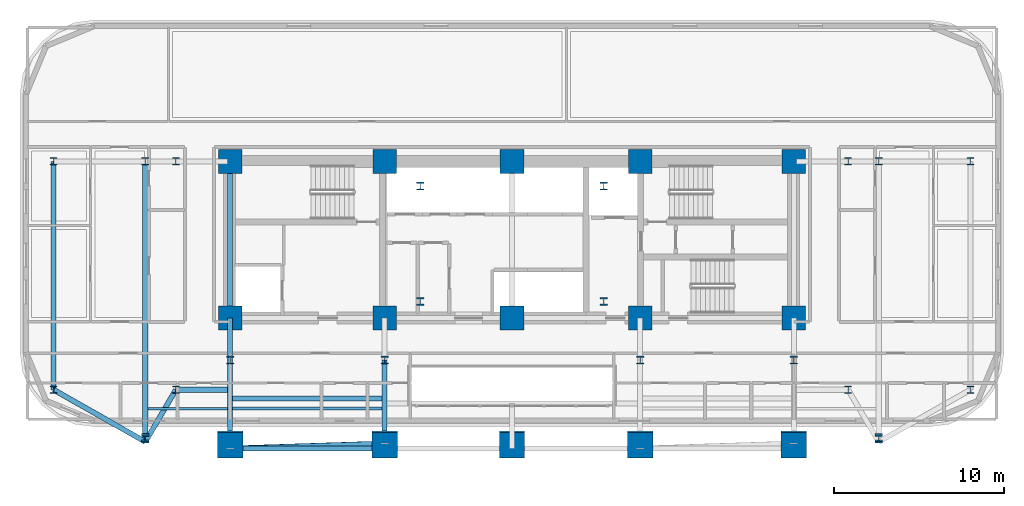
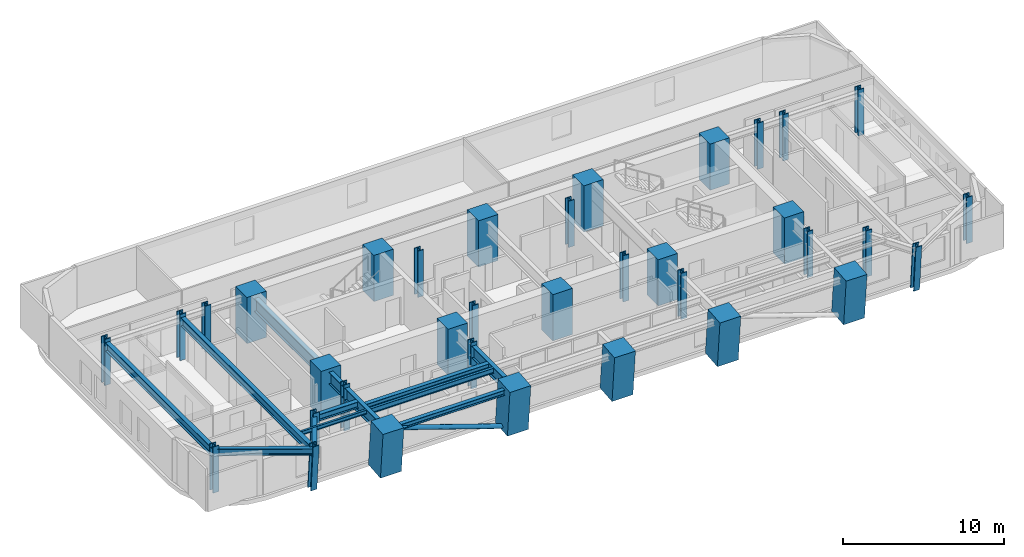
# One storey, part 1 of 16: 35 columns, 13 beams, 1 member.
"""IFC4 building model written with IfcOpenShell, lengths in metres."""

from ifc_helpers import new_model, si_unit, direction, frame, origin, origin_2d, place, context, subcontext, project, spatial, rectangle, hollow_circle, i_section, extrude, material, material_profile, profile_set, type_object, element, save


model = new_model("IFC4")

# Units and contexts
model_context = context("Model", 3, precision=1e-05, world=origin(), true_north=direction((0.0, 1.0)))
body_context = subcontext(model_context, "Body", "Model", "MODEL_VIEW")
ifc_project = project(units=[si_unit("LENGTHUNIT", "METRE"), si_unit("AREAUNIT", "SQUARE_METRE"), si_unit("VOLUMEUNIT", "CUBIC_METRE"), si_unit("PLANEANGLEUNIT", "RADIAN"), si_unit("MASSUNIT", "GRAM", prefix="KILO")], contexts=[model_context])

# Site, building, storey
site_placement = place(None, origin())
site = spatial("IfcSite", under=ifc_project, at=site_placement, CompositionType="ELEMENT")
building_placement = place(site_placement, origin())
building = spatial("IfcBuilding", under=site, at=building_placement, Name="Zarnavel Station Tower", CompositionType="ELEMENT")
storey_placement = place(building_placement, frame((0.0, 0.0, 64.0)))
storey = spatial("IfcBuildingStorey", under=building, at=storey_placement, Name="L17", CompositionType="ELEMENT", Elevation=64.0)

# Columns
ifc_material_1 = material(Name="Steel S460M", Category="steel")
ifc_material_profile_1 = material_profile(ifc_material_1, i_section(OverallWidth=0.424072265625, OverallDepth=0.449951171875, WebThickness=0.041015625, FlangeThickness=0.06494140625, FilletRadius=0.014892578125, at=origin_2d()), Name="HD400x509")
ifc_profile_set_1 = profile_set([ifc_material_profile_1], Name="Steel S460M")
column_type_1 = type_object("IfcColumnType", Name="EC_HD509", PredefinedType="COLUMN", material=ifc_profile_set_1)
for number, where, z_axis, x_axis, name in (
    (1, (1.800048828125, 23.60009765625, 0.0), (0.0, 0.0, 1.0), (1.0, 0.0, 0.0), "L17 Outer Wing South Column 1"),
    (2, (1.800048828125, 37.050048828125, 0.0), (0.0, 0.0, 1.0), (1.0, 0.0, 0.0), "L17 Outer Wing North Column 1"),
):
    element("IfcColumn", number, at=place(storey_placement, frame(where, z_axis=z_axis, x_axis=x_axis)), inside=storey, type_object=column_type_1, Name=name, PredefinedType="COLUMN", context=body_context, shape_type="SweptSolid", body=[
        extrude(i_section(OverallWidth=0.424072265625, OverallDepth=0.449951171875, WebThickness=0.041015625, FlangeThickness=0.06494140625, FilletRadius=0.014892578125, at=origin_2d()), origin(), (0.0, 0.0, 1.0), 3.5),
    ])
for number, where, z_axis, x_axis, name in (
    (3, (7.199951171875, 20.794921875, 0.0), (0.0, -0.079891690793, 0.996803550226), (1.0, 0.0, 0.0), "L17 Raked Wing Column 2"),
    (4, (50.39990234375, 20.794921875, 0.0), (0.0, -0.079891690793, 0.996803550226), (1.0, 0.0, 0.0), "L17 Raked Wing Column 3"),
):
    element("IfcColumn", number, at=place(storey_placement, frame(where, z_axis=z_axis, x_axis=x_axis)), inside=storey, type_object=column_type_1, Name=name, PredefinedType="COLUMN", context=body_context, shape_type="SweptSolid", body=[
        extrude(i_section(OverallWidth=0.424072265625, OverallDepth=0.449951171875, WebThickness=0.041015625, FlangeThickness=0.06494140625, FilletRadius=0.014892578125, at=origin_2d()), origin(), (0.0, 0.0, 1.0), 3.51123046875),
    ])
for number, where, z_axis, x_axis, name in (
    (5, (55.800048828125, 23.60009765625, 0.0), (0.0, 0.0, 1.0), (1.0, 0.0, 0.0), "L17 Outer Wing South Column 4"),
    (6, (55.800048828125, 37.050048828125, 0.0), (0.0, 0.0, 1.0), (1.0, 0.0, 0.0), "L17 Outer Wing North Column 4"),
):
    element("IfcColumn", number, at=place(storey_placement, frame(where, z_axis=z_axis, x_axis=x_axis)), inside=storey, type_object=column_type_1, Name=name, PredefinedType="COLUMN", context=body_context, shape_type="SweptSolid", body=[
        extrude(i_section(OverallWidth=0.424072265625, OverallDepth=0.449951171875, WebThickness=0.041015625, FlangeThickness=0.06494140625, FilletRadius=0.014892578125, at=origin_2d()), origin(), (0.0, 0.0, 1.0), 3.5),
    ])
ifc_material_2 = material(Name="Steel S460M", Category="steel")
ifc_material_profile_2 = material_profile(ifc_material_2, i_section(OverallWidth=0.424072265625, OverallDepth=0.449951171875, WebThickness=0.041015625, FlangeThickness=0.06494140625, FilletRadius=0.014892578125, at=origin_2d()), Name="HD400x509")
ifc_profile_set_2 = profile_set([ifc_material_profile_2], Name="Steel S460M")
column_type_2 = type_object("IfcColumnType", Name="IC_HD509", PredefinedType="COLUMN", material=ifc_profile_set_2)
for number, where, z_axis, x_axis, name in (
    (7, (23.39990234375, 28.800048828125, 0.0), (0.0, 0.0, 1.0), (1.0, 0.0, 0.0), "L17 Mast Spine Column 1"),
    (8, (34.199951171875, 28.800048828125, 0.0), (0.0, 0.0, 1.0), (1.0, 0.0, 0.0), "L17 Mast Spine Column 2"),
    (9, (34.199951171875, 35.60009765625, 0.0), (0.0, 0.0, 1.0), (1.0, 0.0, 0.0), "L17 Mast Spine Column 3"),
    (10, (23.39990234375, 35.60009765625, 0.0), (0.0, 0.0, 1.0), (1.0, 0.0, 0.0), "L17 Mast Spine Column 4"),
    (11, (12.199951171875, 25.35009765625, 0.0), (0.0, 0.0, 1.0), (1.0, 0.0, 0.0), "L17 Inner Spine Column 1"),
    (12, (21.300048828125, 25.35009765625, 0.0), (0.0, 0.0, 1.0), (1.0, 0.0, 0.0), "L17 Inner Spine Column 2"),
    (13, (36.35009765625, 25.35009765625, 0.0), (0.0, 0.0, 1.0), (1.0, 0.0, 0.0), "L17 Inner Spine Column 4"),
    (14, (45.39990234375, 25.35009765625, 0.0), (0.0, 0.0, 1.0), (1.0, 0.0, 0.0), "L17 Inner Spine Column 5"),
    (15, (9.0, 23.60009765625, 0.0), (0.0, 0.0, 1.0), (1.0, 0.0, 0.0), "L17 Inner Wing Spine Column 1-1"),
    (16, (9.0, 37.050048828125, 0.0), (0.0, 0.0, 1.0), (1.0, 0.0, 0.0), "L17 Inner Wing Spine Column 1-2"),
    (17, (48.60009765625, 23.60009765625, 0.0), (0.0, 0.0, 1.0), (1.0, 0.0, 0.0), "L17 Inner Wing Spine Column 2-1"),
    (18, (48.60009765625, 37.050048828125, 0.0), (0.0, 0.0, 1.0), (1.0, 0.0, 0.0), "L17 Inner Wing Spine Column 2-2"),
    (19, (7.199951171875, 37.050048828125, 0.0), (0.0, 0.0, 1.0), (1.0, 0.0, 0.0), "L17 Outer Wing North Column 2"),
    (20, (50.39990234375, 37.050048828125, 0.0), (0.0, 0.0, 1.0), (1.0, 0.0, 0.0), "L17 Outer Wing North Column 3"),
):
    element("IfcColumn", number, at=place(storey_placement, frame(where, z_axis=z_axis, x_axis=x_axis)), inside=storey, type_object=column_type_2, Name=name, PredefinedType="COLUMN", context=body_context, shape_type="SweptSolid", body=[
        extrude(i_section(OverallWidth=0.424072265625, OverallDepth=0.449951171875, WebThickness=0.041015625, FlangeThickness=0.06494140625, FilletRadius=0.014892578125, at=origin_2d()), origin(), (0.0, 0.0, 1.0), 3.5),
    ])
ifc_material_3 = material(Name="Concrete C60/75", Category="concrete")
ifc_material_profile_3 = material_profile(ifc_material_3, rectangle(XDim=1.39990234375, YDim=1.39990234375, at=origin_2d()), Name="RC1400x1400")
ifc_profile_set_3 = profile_set([ifc_material_profile_3], Name="Concrete C60/75")
column_type_3 = type_object("IfcColumnType", Name="IC_RC1400", PredefinedType="COLUMN", material=ifc_profile_set_3)
for number, where, z_axis, x_axis, name in (
    (21, (12.199951171875, 27.820068359375, 0.0), (0.0, 0.0, 1.0), (1.0, 0.0, 0.0), "L17 Core Spine Column 1-1"),
    (22, (12.199951171875, 37.050048828125, 0.0), (0.0, 0.0, 1.0), (1.0, 0.0, 0.0), "L17 Core Spine Column 1-2"),
    (23, (21.300048828125, 27.820068359375, 0.0), (0.0, 0.0, 1.0), (1.0, 0.0, 0.0), "L17 Core Spine Column 2-1"),
    (24, (21.300048828125, 37.050048828125, 0.0), (0.0, 0.0, 1.0), (1.0, 0.0, 0.0), "L17 Core Spine Column 2-2"),
    (25, (28.800048828125, 27.820068359375, 0.0), (0.0, 0.0, 1.0), (1.0, 0.0, 0.0), "L17 Core Spine Column 3-1"),
    (26, (28.800048828125, 37.050048828125, 0.0), (0.0, 0.0, 1.0), (1.0, 0.0, 0.0), "L17 Core Spine Column 3-2"),
    (27, (36.35009765625, 27.820068359375, 0.0), (0.0, 0.0, 1.0), (1.0, 0.0, 0.0), "L17 Core Spine Column 4-1"),
    (28, (36.35009765625, 37.050048828125, 0.0), (0.0, 0.0, 1.0), (1.0, 0.0, 0.0), "L17 Core Spine Column 4-2"),
    (29, (45.39990234375, 27.820068359375, 0.0), (0.0, 0.0, 1.0), (1.0, 0.0, 0.0), "L17 Core Spine Column 5-1"),
    (30, (45.39990234375, 37.050048828125, 0.0), (0.0, 0.0, 1.0), (1.0, 0.0, 0.0), "L17 Core Spine Column 5-2"),
):
    element("IfcColumn", number, at=place(storey_placement, frame(where, z_axis=z_axis, x_axis=x_axis)), inside=storey, type_object=column_type_3, Name=name, PredefinedType="COLUMN", context=body_context, shape_type="SweptSolid", body=[
        extrude(rectangle(XDim=1.39990234375, YDim=1.39990234375, at=origin_2d()), origin(), (0.0, 0.0, 1.0), 3.5),
    ])
ifc_material_4 = material(Name="Concrete C60/75", Category="concrete")
ifc_material_profile_4 = material_profile(ifc_material_4, rectangle(XDim=1.5, YDim=1.5, at=origin_2d()), Name="RC1500x1500")
ifc_profile_set_4 = profile_set([ifc_material_profile_4], Name="Concrete C60/75")
column_type_4 = type_object("IfcColumnType", Name="MC_RC1500", PredefinedType="COLUMN", material=ifc_profile_set_4)
for number, where, z_axis, x_axis, name in (
    (31, (12.199951171875, 20.42822265625, 0.0), (0.0, -0.090241349316, 0.995919925935), (1.0, 0.0, 0.0), "L17 Raked South Mega-Column 1"),
    (32, (21.300048828125, 20.42822265625, 0.0), (0.0, -0.090241349316, 0.995919925935), (1.0, 0.0, 0.0), "L17 Raked South Mega-Column 2"),
    (33, (28.800048828125, 20.42822265625, 0.0), (0.0, -0.090241349316, 0.995919925935), (1.0, 0.0, 0.0), "L17 Raked South Mega-Column 3"),
    (34, (36.35009765625, 20.42822265625, 0.0), (0.0, -0.090241349316, 0.995919925935), (1.0, 0.0, 0.0), "L17 Raked South Mega-Column 4"),
    (35, (45.39990234375, 20.42822265625, 0.0), (0.0, -0.090241349316, 0.995919925935), (1.0, 0.0, 0.0), "L17 Raked South Mega-Column 5"),
):
    element("IfcColumn", number, at=place(storey_placement, frame(where, z_axis=z_axis, x_axis=x_axis)), inside=storey, type_object=column_type_4, Name=name, PredefinedType="COLUMN", context=body_context, shape_type="SweptSolid", body=[
        extrude(rectangle(XDim=1.5, YDim=1.5, at=origin_2d()), origin(), (0.0, 0.0, 1.0), 3.514404296875),
    ])

# Member
ifc_material_5 = material(Name="Steel S355J2", Category="steel")
ifc_material_profile_5 = material_profile(ifc_material_5, hollow_circle(Radius=0.161865234375, WallThickness=0.012451171875, at=origin_2d()), Name="CHS323.9x12.5")
ifc_profile_set_5 = profile_set([ifc_material_profile_5], Name="Steel S355J2")
member_type = type_object("IfcMemberType", Name="DB_EXT_CHS324", PredefinedType="BRACE", material=ifc_profile_set_5)
member_placement = place(storey_placement, frame((21.300048828125, 20.42822265625, 0.0), z_axis=(-0.941636397979, -0.030365588624, 0.335259339958), x_axis=(0.032230925026, -0.999480448769, 0.0)))
element("IfcMember", 36, at=member_placement, inside=storey, type_object=member_type, Name="L17 Persian Exterior Diagonal Frame Brace 1", PredefinedType="BRACE", context=body_context, shape_type="SweptSolid", body=[
    extrude(hollow_circle(Radius=0.161865234375, WallThickness=0.012451171875, at=origin_2d()), origin(), (0.0, 0.0, 1.0), 9.6640625),
])

# Beams
ifc_material_6 = material(Name="Steel S355J2", Category="steel")
ifc_material_profile_6 = material_profile(ifc_material_6, i_section(OverallWidth=0.300048828125, OverallDepth=0.39990234375, WebThickness=0.013427734375, FlangeThickness=0.02392578125, FilletRadius=0.027099609375, at=origin_2d()), Name="HEB400")
ifc_profile_set_6 = profile_set([ifc_material_profile_6], Name="Steel S355J2")
beam_type_1 = type_object("IfcBeamType", Name="EB_HEB400", PredefinedType="SPANDREL", material=ifc_profile_set_6)
beam_1_placement = place(storey_placement, frame((12.199951171875, 20.134765625, 3.0400390625), z_axis=(1.0, 0.0, 0.0), x_axis=(0.0, 1.0, 0.0)))
element("IfcBeam", 37, at=beam_1_placement, inside=storey, type_object=beam_type_1, Name="L17 South Raked Spandrel 1", PredefinedType="SPANDREL", context=body_context, shape_type="SweptSolid", body=[
    extrude(i_section(OverallWidth=0.300048828125, OverallDepth=0.39990234375, WebThickness=0.013427734375, FlangeThickness=0.02392578125, FilletRadius=0.027099609375, at=origin_2d()), origin(), (0.0, 0.0, 1.0), 9.10009765625),
])
ifc_material_7 = material(Name="Steel S355J2", Category="steel")
ifc_material_profile_7 = material_profile(ifc_material_7, i_section(OverallWidth=0.300048828125, OverallDepth=0.389892578125, WebThickness=0.010986328125, FlangeThickness=0.01904296875, FilletRadius=0.027099609375, at=origin_2d()), Name="HEA400")
ifc_profile_set_7 = profile_set([ifc_material_profile_7], Name="Steel S355J2")
beam_type_2 = type_object("IfcBeamType", Name="FB_HEA400", PredefinedType="BEAM", material=ifc_profile_set_7)
beam_2_placement = place(storey_placement, frame((12.344970703125, 23.094970703125, 3.044921875), z_axis=(1.0, 0.0, 0.0), x_axis=(0.0, 1.0, 0.0)))
element("IfcBeam", 38, at=beam_2_placement, inside=storey, type_object=beam_type_2, Name="L17 West Bay Beam 2", PredefinedType="BEAM", context=body_context, shape_type="SweptSolid", body=[
    extrude(i_section(OverallWidth=0.300048828125, OverallDepth=0.389892578125, WebThickness=0.010986328125, FlangeThickness=0.01904296875, FilletRadius=0.027099609375, at=origin_2d()), origin(), (0.0, 0.0, 1.0), 8.81005859375),
])
ifc_material_8 = material(Name="Steel S355J2", Category="steel")
ifc_material_profile_8 = material_profile(ifc_material_8, i_section(OverallWidth=0.179931640625, OverallDepth=0.39990234375, WebThickness=0.008544921875, FlangeThickness=0.013427734375, FilletRadius=0.02099609375, at=origin_2d()), Name="IPE400")
ifc_profile_set_8 = profile_set([ifc_material_profile_8], Name="Steel S355J2")
beam_type_3 = type_object("IfcBeamType", Name="FB_IPE400", PredefinedType="BEAM", material=ifc_profile_set_8)
beam_3_placement = place(storey_placement, frame((12.344970703125, 22.48974609375, 3.0400390625), z_axis=(1.0, 0.0, 0.0), x_axis=(0.0, 1.0, 0.0)))
element("IfcBeam", 39, at=beam_3_placement, inside=storey, type_object=beam_type_3, Name="L17 West Bay Beam 1", PredefinedType="BEAM", context=body_context, shape_type="SweptSolid", body=[
    extrude(i_section(OverallWidth=0.179931640625, OverallDepth=0.39990234375, WebThickness=0.008544921875, FlangeThickness=0.013427734375, FilletRadius=0.02099609375, at=origin_2d()), origin(), (0.0, 0.0, 1.0), 8.81005859375),
])
ifc_material_9 = material(Name="Steel S355J2", Category="steel")
ifc_material_profile_9 = material_profile(ifc_material_9, i_section(OverallWidth=0.300048828125, OverallDepth=0.5, WebThickness=0.014404296875, FlangeThickness=0.028076171875, FilletRadius=0.027099609375, at=origin_2d()), Name="HEB500")
ifc_profile_set_9 = profile_set([ifc_material_profile_9], Name="Steel S355J2")
beam_type_4 = type_object("IfcBeamType", Name="FG_HEB500", PredefinedType="USERDEFINED", material=ifc_profile_set_9)
beam_4_placement = place(storey_placement, frame((1.800048828125, 23.60009765625, 2.989990234375), z_axis=(0.869676791141, -0.493621594899, 0.0), x_axis=(0.493621594899, 0.869676791141, 0.0)))
element("IfcBeam", 40, at=beam_4_placement, inside=storey, type_object=beam_type_4, Name="L17 West Wing South Tie 1", ObjectType="GIRDER", PredefinedType="USERDEFINED", context=body_context, shape_type="SweptSolid", body=[
    extrude(i_section(OverallWidth=0.300048828125, OverallDepth=0.5, WebThickness=0.014404296875, FlangeThickness=0.028076171875, FilletRadius=0.027099609375, at=origin_2d()), origin(), (0.0, 0.0, 1.0), 6.208984375),
])
beam_5_placement = place(storey_placement, frame((7.199951171875, 20.53515625, 2.989990234375), z_axis=(0.506422665221, 0.8622853844, 0.0), x_axis=(-0.8622853844, 0.506422665221, 0.0)))
element("IfcBeam", 41, at=beam_5_placement, inside=storey, type_object=beam_type_4, Name="L17 West Wing South Tie 2", ObjectType="GIRDER", PredefinedType="USERDEFINED", context=body_context, shape_type="SweptSolid", body=[
    extrude(i_section(OverallWidth=0.300048828125, OverallDepth=0.5, WebThickness=0.014404296875, FlangeThickness=0.028076171875, FilletRadius=0.027099609375, at=origin_2d()), origin(), (0.0, 0.0, 1.0), 3.554443359375),
])
beam_6_placement = place(storey_placement, frame((9.0, 23.60009765625, 2.989990234375), z_axis=(1.0, 0.0, 0.0), x_axis=(0.0, 1.0, 0.0)))
element("IfcBeam", 42, at=beam_6_placement, inside=storey, type_object=beam_type_4, Name="L17 West Wing South Tie 3", ObjectType="GIRDER", PredefinedType="USERDEFINED", context=body_context, shape_type="SweptSolid", body=[
    extrude(i_section(OverallWidth=0.300048828125, OverallDepth=0.5, WebThickness=0.014404296875, FlangeThickness=0.028076171875, FilletRadius=0.027099609375, at=origin_2d()), origin(), (0.0, 0.0, 1.0), 3.054931640625),
])
ifc_material_10 = material(Name="Steel S355J2", Category="steel")
ifc_material_profile_10 = material_profile(ifc_material_10, i_section(OverallWidth=0.300048828125, OverallDepth=0.64990234375, WebThickness=0.01611328125, FlangeThickness=0.031005859375, FilletRadius=0.027099609375, at=origin_2d()), Name="HEB650")
ifc_profile_set_10 = profile_set([ifc_material_profile_10], Name="Steel S355J2")
beam_type_5 = type_object("IfcBeamType", Name="FG_HEB650", PredefinedType="USERDEFINED", material=ifc_profile_set_10)
beam_7_placement = place(storey_placement, frame((1.800048828125, 23.60009765625, 2.9150390625), z_axis=(0.0, 1.0, 0.0), x_axis=(-1.0, 0.0, 0.0)))
element("IfcBeam", 43, at=beam_7_placement, inside=storey, type_object=beam_type_5, Name="L17 Wing NS Girder 1", ObjectType="GIRDER", PredefinedType="USERDEFINED", context=body_context, shape_type="SweptSolid", body=[
    extrude(i_section(OverallWidth=0.300048828125, OverallDepth=0.64990234375, WebThickness=0.01611328125, FlangeThickness=0.031005859375, FilletRadius=0.027099609375, at=origin_2d()), origin(), (0.0, 0.0, 1.0), 13.449951171875),
])
beam_8_placement = place(storey_placement, frame((7.199951171875, 20.53515625, 2.9150390625), z_axis=(0.0, 1.0, 0.0), x_axis=(-1.0, 0.0, 0.0)))
element("IfcBeam", 44, at=beam_8_placement, inside=storey, type_object=beam_type_5, Name="L17 Wing NS Girder 2", ObjectType="GIRDER", PredefinedType="USERDEFINED", context=body_context, shape_type="SweptSolid", body=[
    extrude(i_section(OverallWidth=0.300048828125, OverallDepth=0.64990234375, WebThickness=0.01611328125, FlangeThickness=0.031005859375, FilletRadius=0.027099609375, at=origin_2d()), origin(), (0.0, 0.0, 1.0), 16.514892578125),
])
ifc_material_11 = material(Name="Steel S355J2", Category="steel")
ifc_material_profile_11 = material_profile(ifc_material_11, i_section(OverallWidth=0.14990234375, OverallDepth=0.300048828125, WebThickness=0.007080078125, FlangeThickness=0.0107421875, FilletRadius=0.014892578125, at=origin_2d()), Name="IPE300")
ifc_profile_set_11 = profile_set([ifc_material_profile_11], Name="Steel S355J2")
beam_type_6 = type_object("IfcBeamType", Name="FJ_IPE300", PredefinedType="JOIST", material=ifc_profile_set_11)
beam_9_placement = place(storey_placement, frame((7.344970703125, 22.48974609375, 3.090087890625), z_axis=(1.0, 0.0, 0.0), x_axis=(0.0, 1.0, 0.0)))
element("IfcBeam", 45, at=beam_9_placement, inside=storey, type_object=beam_type_6, Name="L17 West Wing Joist 1", PredefinedType="JOIST", context=body_context, shape_type="SweptSolid", body=[
    extrude(i_section(OverallWidth=0.14990234375, OverallDepth=0.300048828125, WebThickness=0.007080078125, FlangeThickness=0.0107421875, FilletRadius=0.014892578125, at=origin_2d()), origin(), (0.0, 0.0, 1.0), 4.7099609375),
])
ifc_material_12 = material(Name="Steel S460M", Category="steel")
ifc_material_profile_12 = material_profile(ifc_material_12, i_section(OverallWidth=0.302001953125, OverallDepth=1.008056640625, WebThickness=0.02099609375, FlangeThickness=0.0400390625, FilletRadius=0.030029296875, at=origin_2d()), Name="HEM1000")
ifc_profile_set_12 = profile_set([ifc_material_profile_12], Name="Steel S460M")
beam_type_7 = type_object("IfcBeamType", Name="TG_HEM1000", PredefinedType="USERDEFINED", material=ifc_profile_set_12)
beam_10_placement = place(storey_placement, frame((12.199951171875, 27.820068359375, 2.736083984375), z_axis=(0.0, 1.0, 0.0), x_axis=(-1.0, 0.0, 0.0)))
element("IfcBeam", 46, at=beam_10_placement, inside=storey, type_object=beam_type_7, Name="L17 Core Spine Coupling Girder 1", ObjectType="GIRDER", PredefinedType="USERDEFINED", context=body_context, shape_type="SweptSolid", body=[
    extrude(i_section(OverallWidth=0.302001953125, OverallDepth=1.008056640625, WebThickness=0.02099609375, FlangeThickness=0.0400390625, FilletRadius=0.030029296875, at=origin_2d()), origin(), (0.0, 0.0, 1.0), 9.22998046875),
])
ifc_material_13 = material(Name="Steel S460M", Category="steel")
ifc_material_profile_13 = material_profile(ifc_material_13, i_section(OverallWidth=0.302001953125, OverallDepth=0.909912109375, WebThickness=0.02099609375, FlangeThickness=0.0400390625, FilletRadius=0.030029296875, at=origin_2d()), Name="HEM900")
ifc_profile_set_13 = profile_set([ifc_material_profile_13], Name="Steel S460M")
beam_type_8 = type_object("IfcBeamType", Name="TG_HEM900", PredefinedType="USERDEFINED", material=ifc_profile_set_13)
beam_11_placement = place(storey_placement, frame((12.199951171875, 20.134765625, 2.784912109375), z_axis=(0.0, 1.0, 0.0), x_axis=(-1.0, 0.0, 0.0)))
element("IfcBeam", 47, at=beam_11_placement, inside=storey, type_object=beam_type_8, Name="L17 South-Zone NS Girder 1", ObjectType="GIRDER", PredefinedType="USERDEFINED", context=body_context, shape_type="SweptSolid", body=[
    extrude(i_section(OverallWidth=0.302001953125, OverallDepth=0.909912109375, WebThickness=0.02099609375, FlangeThickness=0.0400390625, FilletRadius=0.030029296875, at=origin_2d()), origin(), (0.0, 0.0, 1.0), 5.21533203125),
])
beam_12_placement = place(storey_placement, frame((12.199951171875, 25.35009765625, 2.784912109375), z_axis=(0.0, 1.0, 0.0), x_axis=(-1.0, 0.0, 0.0)))
element("IfcBeam", 48, at=beam_12_placement, inside=storey, type_object=beam_type_8, Name="L17 Inner-Zone NS Girder 1", ObjectType="GIRDER", PredefinedType="USERDEFINED", context=body_context, shape_type="SweptSolid", body=[
    extrude(i_section(OverallWidth=0.302001953125, OverallDepth=0.909912109375, WebThickness=0.02099609375, FlangeThickness=0.0400390625, FilletRadius=0.030029296875, at=origin_2d()), origin(), (0.0, 0.0, 1.0), 2.469970703125),
])
beam_13_placement = place(storey_placement, frame((21.300048828125, 20.134765625, 2.784912109375), z_axis=(0.0, 1.0, 0.0), x_axis=(-1.0, 0.0, 0.0)))
element("IfcBeam", 49, at=beam_13_placement, inside=storey, type_object=beam_type_8, Name="L17 South-Zone NS Girder 2", ObjectType="GIRDER", PredefinedType="USERDEFINED", context=body_context, shape_type="SweptSolid", body=[
    extrude(i_section(OverallWidth=0.302001953125, OverallDepth=0.909912109375, WebThickness=0.02099609375, FlangeThickness=0.0400390625, FilletRadius=0.030029296875, at=origin_2d()), origin(), (0.0, 0.0, 1.0), 5.21533203125),
])

save(model, "model.ifc")
